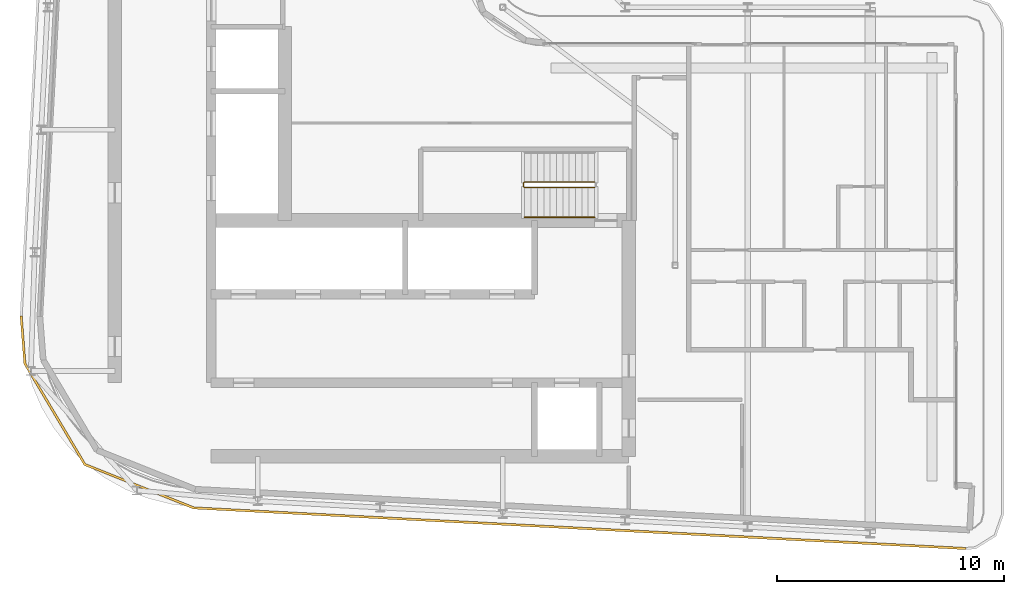
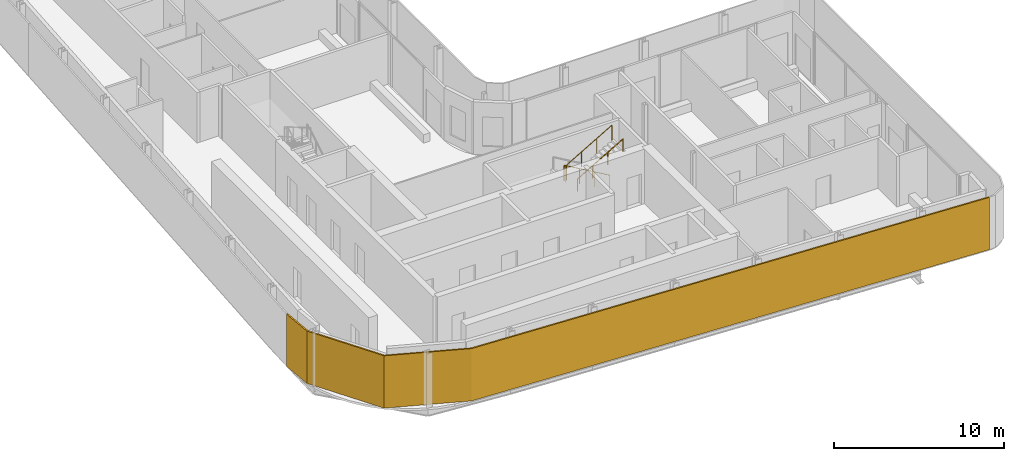
# One storey, part 16 of 21: 2 railings, 1 shading device.
"""IFC4 building model written with IfcOpenShell, lengths in metres."""

from ifc_helpers import new_model, si_unit, direction, frame, origin, origin_2d, place, context, subcontext, project, spatial, polyline, circle, outline, extrude, material, layer, layer_set, type_object, element, save


model = new_model("IFC4")

# Units and contexts
model_context = context("Model", 3, precision=1e-05, world=origin(), true_north=direction((0.0, 1.0)))
body_context = subcontext(model_context, "Body", "Model", "MODEL_VIEW")
ifc_project = project(units=[si_unit("LENGTHUNIT", "METRE"), si_unit("AREAUNIT", "SQUARE_METRE"), si_unit("VOLUMEUNIT", "CUBIC_METRE"), si_unit("PLANEANGLEUNIT", "RADIAN"), si_unit("MASSUNIT", "GRAM", prefix="KILO")], contexts=[model_context])

# Site, building, storey
site_placement = place(None, origin())
site = spatial("IfcSite", under=ifc_project, at=site_placement, CompositionType="ELEMENT")
building_placement = place(site_placement, origin())
building = spatial("IfcBuilding", under=site, at=building_placement, Name="Kheshtan School and Residences Tower", CompositionType="ELEMENT")
storey_placement = place(building_placement, frame((0.0, 0.0, 290.300048828125)))
storey = spatial("IfcBuildingStorey", under=building, at=storey_placement, Name="L68", CompositionType="ELEMENT", Elevation=290.300048828125)

# Shading device
ifc_material_1 = material(Name="Terracotta baguette, extruded ceramic", Category="masonry")
ifc_layer = layer(ifc_material_1, 0.10009765625)
ifc_layer_set = layer_set([ifc_layer], Name="Ledge screen, terracotta baguettes")
shading_device_type = type_object("IfcShadingDeviceType", Name="Ledge screen, terracotta baguettes", PredefinedType="USERDEFINED", material=ifc_layer_set)
shading_device_placement = place(storey_placement, origin())
element("IfcShadingDevice", 1, at=shading_device_placement, inside=storey, type_object=shading_device_type, Name="Screen L68 3", ObjectType="BAGUETTE", PredefinedType="USERDEFINED", context=body_context, shape_type="SweptSolid", body=[
    extrude(outline(polyline([(68.02099609375, 21.7880859375), (33.989013671875, 23.580078125), (29.2119140625, 25.486083984375), (26.583984375, 29.906982421875), (26.419921875, 31.989013671875), (26.320068359375, 31.98095703125), (26.486083984375, 29.8759765625), (29.14306640625, 25.406005859375), (33.967041015625, 23.48095703125), (68.01611328125, 21.68798828125), (68.02099609375, 21.7880859375)])), origin(), (0.0, 0.0, 1.0), 3.75),
])

# Railings
ifc_material_2 = material(Name="Stainless steel balustrade", Category="steel")
railing_type_1 = type_object("IfcRailingType", Name="Stair guard 1100", PredefinedType="GUARDRAIL", material=ifc_material_2)
railing_1_placement = place(storey_placement, frame((51.64990234375, 37.89990234375, 0.162353515625)))
element("IfcRailing", 2, at=railing_1_placement, inside=storey, type_object=railing_type_1, Name="L68 ST1 stair guard 1", PredefinedType="GUARDRAIL", context=body_context, shape_type="SweptSolid", body=[
    extrude(circle(Radius=0.02392578125, at=origin_2d()), frame((0.0, 0.0, 1.076171875), z_axis=(-0.864873446163, 0.0, 0.501989962173), x_axis=(0.0, -1.0, 0.0)), (0.0, 0.0, 1.0), 3.56103515625),
    extrude(circle(Radius=0.02392578125, at=origin_2d()), frame((-3.079833984375, 0.0, 2.86376953125), z_axis=(-0.708833529934, -0.705375805398, 0.0), x_axis=(0.705375805398, -0.708833529934, 0.0)), (0.0, 0.0, 1.0), 0.070556640625),
    extrude(circle(Radius=0.02392578125, at=origin_2d()), frame((-3.1298828125, -0.0498046875, 2.86376953125), z_axis=(0.0, -1.0, 0.0), x_axis=(1.0, 0.0, 0.0)), (0.0, 0.0, 1.0), 0.150146484375),
    extrude(circle(Radius=0.02392578125, at=origin_2d()), frame((-3.1298828125, -0.199951171875, 2.86376953125), z_axis=(0.282227285176, -0.282227285176, 0.916894497205), x_axis=(0.707106781187, 0.707106781187, 0.0)), (0.0, 0.0, 1.0), 0.17724609375),
    extrude(circle(Radius=0.02392578125, at=origin_2d()), frame((-3.079833984375, -0.25, 3.0263671875), z_axis=(0.864903211148, 0.0, 0.501938676878), x_axis=(0.0, 1.0, 0.0)), (0.0, 0.0, 1.0), 3.560791015625),
    extrude(circle(Radius=0.02099609375, at=origin_2d()), origin(), (0.0, 0.0, 1.0), 1.052001953125),
    extrude(circle(Radius=0.02099609375, at=origin_2d()), frame((-1.026611328125, 0.0, 0.595947265625)), (0.0, 0.0, 1.0), 1.052001953125),
    extrude(circle(Radius=0.02099609375, at=origin_2d()), frame((-2.05322265625, 0.0, 1.191650390625)), (0.0, 0.0, 1.0), 1.052001953125),
    extrude(circle(Radius=0.02099609375, at=origin_2d()), frame((-3.079833984375, 0.0, 1.78759765625)), (0.0, 0.0, 1.0), 1.052001953125),
    extrude(circle(Radius=0.02099609375, at=origin_2d()), frame((-3.1298828125, -0.0498046875, 1.78759765625)), (0.0, 0.0, 1.0), 1.052001953125),
    extrude(circle(Radius=0.02099609375, at=origin_2d()), frame((-3.1298828125, -0.199951171875, 1.78759765625)), (0.0, 0.0, 1.0), 1.052001953125),
    extrude(circle(Radius=0.02099609375, at=origin_2d()), frame((-3.079833984375, -0.25, 1.9501953125)), (0.0, 0.0, 1.0), 1.052001953125),
    extrude(circle(Radius=0.02099609375, at=origin_2d()), frame((-2.05322265625, -0.25, 2.5458984375)), (0.0, 0.0, 1.0), 1.052001953125),
    extrude(circle(Radius=0.02099609375, at=origin_2d()), frame((-1.026611328125, -0.25, 3.141845703125)), (0.0, 0.0, 1.0), 1.052001953125),
    extrude(circle(Radius=0.02099609375, at=origin_2d()), frame((0.0, -0.25, 3.737548828125)), (0.0, 0.0, 1.0), 1.052001953125),
])
ifc_material_3 = material(Name="Stainless steel handrail", Category="steel")
railing_type_2 = type_object("IfcRailingType", Name="Stair handrail 900", PredefinedType="HANDRAIL", material=ifc_material_3)
railing_2_placement = place(storey_placement, frame((48.570068359375, 36.35009765625, 2.112548828125)))
element("IfcRailing", 3, at=railing_2_placement, inside=storey, type_object=railing_type_2, Name="L68 ST1 stair handrail 2", PredefinedType="HANDRAIL", context=body_context, shape_type="SweptSolid", body=[
    extrude(circle(Radius=0.02392578125, at=origin_2d()), frame((0.0, 0.0, 0.8759765625), z_axis=(0.864903211148, 0.0, 0.501938676878), x_axis=(0.0, 1.0, 0.0)), (0.0, 0.0, 1.0), 3.560791015625),
    extrude(circle(Radius=0.02099609375, at=origin_2d()), origin(), (0.0, 0.0, 1.0), 0.851806640625),
    extrude(circle(Radius=0.02099609375, at=origin_2d()), frame((1.026611328125, 0.0, 0.595703125)), (0.0, 0.0, 1.0), 0.851806640625),
    extrude(circle(Radius=0.02099609375, at=origin_2d()), frame((2.05322265625, 0.0, 1.191650390625)), (0.0, 0.0, 1.0), 0.851806640625),
    extrude(circle(Radius=0.02099609375, at=origin_2d()), frame((3.079833984375, 0.0, 1.787353515625)), (0.0, 0.0, 1.0), 0.851806640625),
])

save(model, "model.ifc")
